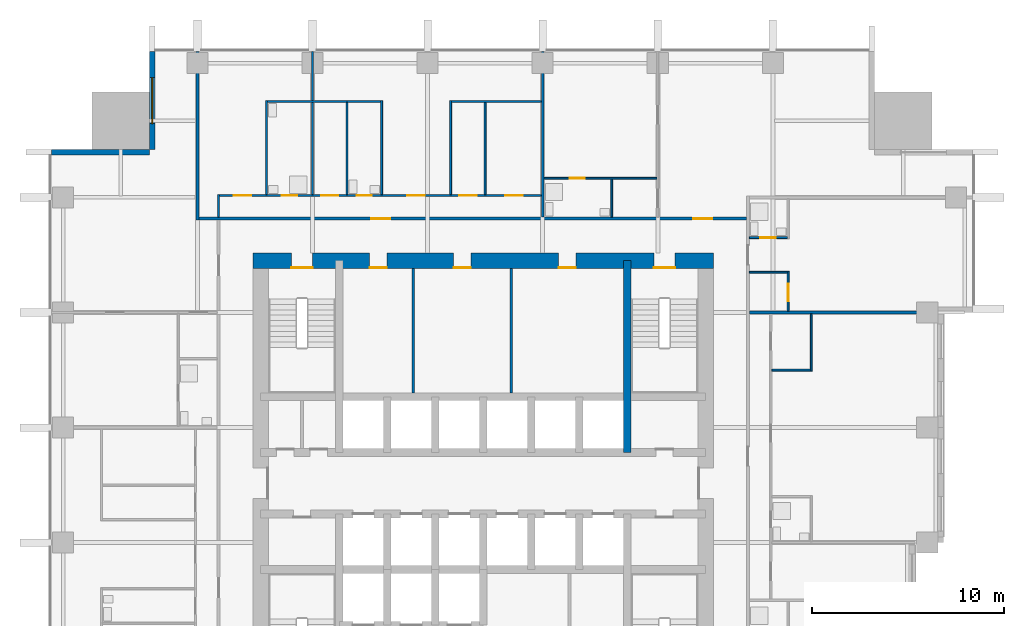
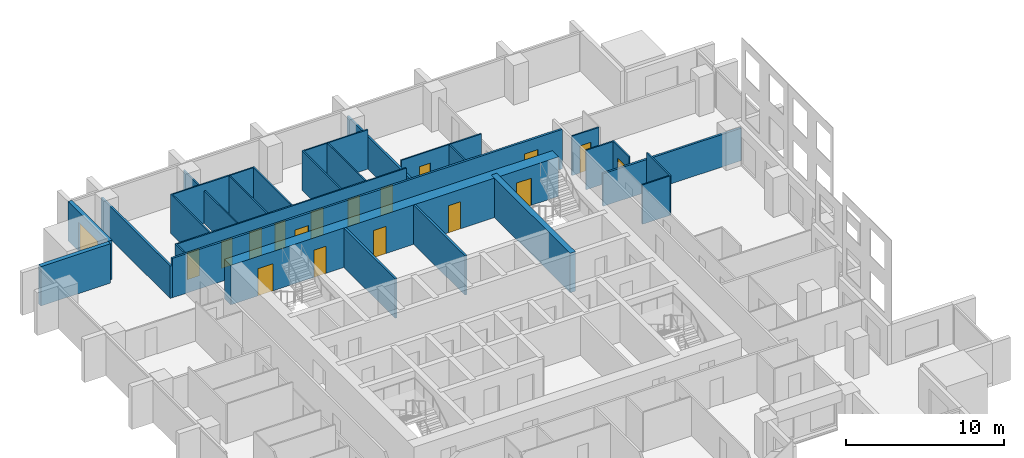
# One storey, part 7 of 11: 27 walls, 17 doors, 1 window, 18 openings.
"""IFC4 building model written with IfcOpenShell, lengths in metres."""

from ifc_helpers import new_model, si_unit, direction, frame, frame_2d, origin, place, context, subcontext, project, spatial, rectangle, extrude, material, layer, layer_set, type_object, element, fill, save


model = new_model("IFC4")

# Units and contexts
model_context = context("Model", 3, precision=1e-05, world=origin(), true_north=direction((0.0, 1.0)))
body_context = subcontext(model_context, "Body", "Model", "MODEL_VIEW")
ifc_project = project(units=[si_unit("LENGTHUNIT", "METRE"), si_unit("AREAUNIT", "SQUARE_METRE"), si_unit("VOLUMEUNIT", "CUBIC_METRE"), si_unit("PLANEANGLEUNIT", "RADIAN"), si_unit("MASSUNIT", "GRAM", prefix="KILO")], contexts=[model_context])

# Site, building, storey
site_placement = place(None, origin())
site = spatial("IfcSite", under=ifc_project, at=site_placement, CompositionType="ELEMENT")
building_placement = place(site_placement, origin())
building = spatial("IfcBuilding", under=site, at=building_placement, Name="Amberfall Residences", CompositionType="ELEMENT")
storey_placement = place(building_placement, frame((0.0, 0.0, 115.0)))
storey = spatial("IfcBuildingStorey", under=building, at=storey_placement, Name="L31", CompositionType="ELEMENT", Elevation=115.0)

# Wall, opening, window
ifc_material_1 = material(Name="Pale stone cladding on insulated backing", Category="masonry")
ifc_layer_1 = layer(ifc_material_1, 0.300048828125)
ifc_layer_set_1 = layer_set([ifc_layer_1], Name="Bronze clad wall 300")
wall_type_1 = type_object("IfcWallType", Name="Bronze clad wall 300", PredefinedType="SOLIDWALL", material=ifc_layer_set_1)
wall_1_placement = place(storey_placement, frame((57.25, 68.0, 0.0), z_axis=(0.0, 0.0, 1.0), x_axis=(0.0, -1.0, 0.0)))
wall_1 = element("IfcWall", 1, at=wall_1_placement, inside=storey, type_object=wall_type_1, Name="External wall L31 NW", PredefinedType="SOLIDWALL", context=body_context, shape_type="SweptSolid", body=[
    extrude(rectangle(XDim=5.10009765625, YDim=0.300048828125, at=frame_2d((2.550048828125, 0.0))), origin(), (0.0, 0.0, 1.0), 3.050048828125),
])
opening_1_placement = place(wall_1_placement, frame((1.35009765625, 0.0, 0.14990234375)))
opening_1 = element("IfcOpeningElement", 2, at=opening_1_placement, cuts=wall_1, Name="Opening WN5", PredefinedType="OPENING", context=body_context, shape_type="SweptSolid", body=[
    extrude(rectangle(XDim=2.39990234375, YDim=2.10009765625, at=frame_2d((1.199951171875, 1.050048828125))), frame((0.0, 0.159912109375, 0.0), z_axis=(0.0, -1.0, 0.0), x_axis=(1.0, 0.0, 0.0)), (0.0, 0.0, 1.0), 0.320068359375),
])
ifc_material_2 = material(Name="Bronze aluminium framed glazing", Category="aluminium")
window_type = type_object("IfcWindowType", Name="Glazed opening 2400 x 2100 bronze", PartitioningType="DOUBLE_PANEL_VERTICAL", PredefinedType="WINDOW", material=ifc_material_2)
window_placement = place(opening_1_placement, origin())
window = element("IfcWindow", 3, at=window_placement, inside=storey, type_object=window_type, Name="Window L31 NW", OverallHeight=2.10009765625, OverallWidth=2.39990234375, PartitioningType="DOUBLE_PANEL_VERTICAL", PredefinedType="WINDOW", context=body_context, shape_type="SweptSolid", body=[
    extrude(rectangle(XDim=2.39990234375, YDim=2.10009765625, at=frame_2d((1.199951171875, 1.050048828125))), frame((0.0, 0.030029296875, 0.0), z_axis=(0.0, -1.0, 0.0), x_axis=(1.0, 0.0, 0.0)), (0.0, 0.0, 1.0), 0.06005859375),
])
fill(opening_1, window)

# Walls
wall_2_placement = place(storey_placement, frame((57.10009765625, 62.75, 0.0), z_axis=(0.0, 0.0, 1.0), x_axis=(-1.0, 0.0, 0.0)))
element("IfcWall", 4, at=wall_2_placement, inside=storey, type_object=wall_type_1, Name="External wall L31 NW", PredefinedType="SOLIDWALL", context=body_context, shape_type="SweptSolid", body=[
    extrude(rectangle(XDim=5.10009765625, YDim=0.300048828125, at=frame_2d((2.550048828125, 0.0))), origin(), (0.0, 0.0, 1.0), 3.050048828125),
])
ifc_material_3 = material(Name="Concrete C70", Category="concrete")
ifc_layer_2 = layer(ifc_material_3, 0.39990234375)
ifc_layer_set_2 = layer_set([ifc_layer_2], Name="Core wall 400 C70")
wall_type_2 = type_object("IfcWallType", Name="Core wall 400 C70", PredefinedType="SHEAR", material=ifc_layer_set_2)
wall_3_placement = place(storey_placement, frame((82.0, 47.10009765625, 0.0), z_axis=(0.0, 0.0, 1.0), x_axis=(0.0, 1.0, 0.0)))
element("IfcWall", 5, at=wall_3_placement, inside=storey, type_object=wall_type_2, Name="Core wall RW4 L31 V195N", PredefinedType="SHEAR", context=body_context, shape_type="SweptSolid", body=[
    extrude(rectangle(XDim=10.0, YDim=0.39990234375, at=frame_2d((5.0, 0.0))), origin(), (0.0, 0.0, 1.0), 3.050048828125),
])

# Wall, openings, doors
ifc_layer_3 = layer(ifc_material_3, 0.800048828125)
ifc_layer_set_3 = layer_set([ifc_layer_3], Name="Core wall 800 C70")
wall_type_3 = type_object("IfcWallType", Name="Core wall 800 C70", PredefinedType="SHEAR", material=ifc_layer_set_3)
wall_4_placement = place(storey_placement, frame((62.5, 57.10009765625, 0.0), z_axis=(0.0, 0.0, 1.0), x_axis=(1.0, 0.0, 0.0)))
wall_4 = element("IfcWall", 6, at=wall_4_placement, inside=storey, type_object=wall_type_3, Name="Core wall RW3 L31 ON", PredefinedType="SHEAR", context=body_context, shape_type="SweptSolid", body=[
    extrude(rectangle(XDim=24.0, YDim=0.800048828125, at=frame_2d((12.0, 0.0))), origin(), (0.0, 0.0, 1.0), 3.050048828125),
])
opening_2_placement = place(wall_4_placement, frame((20.89990234375, 0.0, 0.0)))
opening_2 = element("IfcOpeningElement", 7, at=opening_2_placement, cuts=wall_4, Name="Opening SD1", PredefinedType="OPENING", context=body_context, shape_type="SweptSolid", body=[
    extrude(rectangle(XDim=1.10009765625, YDim=2.10009765625, at=frame_2d((0.550048828125, 1.050048828125))), frame((0.0, 0.409912109375, 0.0), z_axis=(0.0, -1.0, 0.0), x_axis=(1.0, 0.0, 0.0)), (0.0, 0.0, 1.0), 0.820068359375),
])
opening_3_placement = place(wall_4_placement, frame((2.0, 0.0, 0.0)))
opening_3 = element("IfcOpeningElement", 8, at=opening_3_placement, cuts=wall_4, Name="Opening SD1", PredefinedType="OPENING", context=body_context, shape_type="SweptSolid", body=[
    extrude(rectangle(XDim=1.10009765625, YDim=2.10009765625, at=frame_2d((0.550048828125, 1.050048828125))), frame((0.0, 0.409912109375, 0.0), z_axis=(0.0, -1.0, 0.0), x_axis=(1.0, 0.0, 0.0)), (0.0, 0.0, 1.0), 0.820068359375),
])
opening_4_placement = place(wall_4_placement, frame((6.074951171875, 0.0, 0.0)))
opening_4 = element("IfcOpeningElement", 9, at=opening_4_placement, cuts=wall_4, Name="Opening RD1", PredefinedType="OPENING", context=body_context, shape_type="SweptSolid", body=[
    extrude(rectangle(XDim=0.89990234375, YDim=2.10009765625, at=frame_2d((0.449951171875, 1.050048828125))), frame((0.0, 0.409912109375, 0.0), z_axis=(0.0, -1.0, 0.0), x_axis=(1.0, 0.0, 0.0)), (0.0, 0.0, 1.0), 0.820068359375),
])
opening_5_placement = place(wall_4_placement, frame((10.455078125, 0.0, 0.0)))
opening_5 = element("IfcOpeningElement", 10, at=opening_5_placement, cuts=wall_4, Name="Opening RD1", PredefinedType="OPENING", context=body_context, shape_type="SweptSolid", body=[
    extrude(rectangle(XDim=0.89990234375, YDim=2.10009765625, at=frame_2d((0.449951171875, 1.050048828125))), frame((0.0, 0.409912109375, 0.0), z_axis=(0.0, -1.0, 0.0), x_axis=(1.0, 0.0, 0.0)), (0.0, 0.0, 1.0), 0.820068359375),
])
opening_6_placement = place(wall_4_placement, frame((15.929931640625, 0.0, 0.0)))
opening_6 = element("IfcOpeningElement", 11, at=opening_6_placement, cuts=wall_4, Name="Opening RD1", PredefinedType="OPENING", context=body_context, shape_type="SweptSolid", body=[
    extrude(rectangle(XDim=0.89990234375, YDim=2.10009765625, at=frame_2d((0.449951171875, 1.050048828125))), frame((0.0, 0.409912109375, 0.0), z_axis=(0.0, -1.0, 0.0), x_axis=(1.0, 0.0, 0.0)), (0.0, 0.0, 1.0), 0.820068359375),
])
ifc_material_4 = material(Name="Steel fire door set", Category="steel")
door_type_1 = type_object("IfcDoorType", Name="Service room door 900 x 2100", OperationType="SINGLE_SWING_LEFT", PredefinedType="DOOR", material=ifc_material_4)
door_1_placement = place(opening_4_placement, origin())
door_1 = element("IfcDoor", 12, at=door_1_placement, inside=storey, type_object=door_type_1, Name="RD1 L31", OperationType="SINGLE_SWING_RIGHT", OverallHeight=2.10009765625, OverallWidth=0.89990234375, PredefinedType="DOOR", context=body_context, shape_type="SweptSolid", body=[
    extrude(rectangle(XDim=0.89990234375, YDim=2.10009765625, at=frame_2d((0.449951171875, 1.050048828125))), frame((0.0, -0.33740234375, 0.0), z_axis=(0.0, -1.0, 0.0), x_axis=(1.0, 0.0, 0.0)), (0.0, 0.0, 1.0), 0.050048828125),
])
fill(opening_4, door_1)
door_2_placement = place(opening_5_placement, origin())
door_2 = element("IfcDoor", 13, at=door_2_placement, inside=storey, type_object=door_type_1, Name="RD1 L31", OperationType="SINGLE_SWING_RIGHT", OverallHeight=2.10009765625, OverallWidth=0.89990234375, PredefinedType="DOOR", context=body_context, shape_type="SweptSolid", body=[
    extrude(rectangle(XDim=0.89990234375, YDim=2.10009765625, at=frame_2d((0.449951171875, 1.050048828125))), frame((0.0, -0.33740234375, 0.0), z_axis=(0.0, -1.0, 0.0), x_axis=(1.0, 0.0, 0.0)), (0.0, 0.0, 1.0), 0.050048828125),
])
fill(opening_5, door_2)
door_3_placement = place(opening_6_placement, origin())
door_3 = element("IfcDoor", 14, at=door_3_placement, inside=storey, type_object=door_type_1, Name="RD1 L31", OperationType="SINGLE_SWING_RIGHT", OverallHeight=2.10009765625, OverallWidth=0.89990234375, PredefinedType="DOOR", context=body_context, shape_type="SweptSolid", body=[
    extrude(rectangle(XDim=0.89990234375, YDim=2.10009765625, at=frame_2d((0.449951171875, 1.050048828125))), frame((0.0, -0.33740234375, 0.0), z_axis=(0.0, -1.0, 0.0), x_axis=(1.0, 0.0, 0.0)), (0.0, 0.0, 1.0), 0.050048828125),
])
fill(opening_6, door_3)
door_type_2 = type_object("IfcDoorType", Name="Stair door 1100 x 2100", OperationType="SINGLE_SWING_LEFT", PredefinedType="DOOR", material=ifc_material_4)
door_4_placement = place(opening_2_placement, origin())
door_4 = element("IfcDoor", 15, at=door_4_placement, inside=storey, type_object=door_type_2, Name="SD1 L31", OperationType="SINGLE_SWING_RIGHT", OverallHeight=2.10009765625, OverallWidth=1.10009765625, PredefinedType="DOOR", context=body_context, shape_type="SweptSolid", body=[
    extrude(rectangle(XDim=1.10009765625, YDim=2.10009765625, at=frame_2d((0.550048828125, 1.050048828125))), frame((0.0, -0.33740234375, 0.0), z_axis=(0.0, -1.0, 0.0), x_axis=(1.0, 0.0, 0.0)), (0.0, 0.0, 1.0), 0.050048828125),
])
fill(opening_2, door_4)
door_5_placement = place(opening_3_placement, origin())
door_5 = element("IfcDoor", 16, at=door_5_placement, inside=storey, type_object=door_type_2, Name="SD1 L31", OperationType="SINGLE_SWING_LEFT", OverallHeight=2.10009765625, OverallWidth=1.10009765625, PredefinedType="DOOR", context=body_context, shape_type="SweptSolid", body=[
    extrude(rectangle(XDim=1.10009765625, YDim=2.10009765625, at=frame_2d((0.550048828125, 1.050048828125))), frame((0.0, -0.33740234375, 0.0), z_axis=(0.0, -1.0, 0.0), x_axis=(1.0, 0.0, 0.0)), (0.0, 0.0, 1.0), 0.050048828125),
])
fill(opening_3, door_5)

# Walls
ifc_material_5 = material(Name="Gypsum board on metal stud")
ifc_layer_4 = layer(ifc_material_5, 0.10009765625)
ifc_layer_set_4 = layer_set([ifc_layer_4], Name="Flat partition 100")
wall_type_4 = type_object("IfcWallType", Name="Flat partition 100", PredefinedType="PARTITIONING", material=ifc_layer_set_4)
wall_5_placement = place(storey_placement, frame((60.699951171875, 59.375, 0.0), z_axis=(0.0, 0.0, 1.0), x_axis=(0.0, 1.0, 0.0)))
element("IfcWall", 17, at=wall_5_placement, inside=storey, type_object=wall_type_4, Name="Partition 005", PredefinedType="PARTITIONING", context=body_context, shape_type="SweptSolid", body=[
    extrude(rectangle(XDim=1.175048828125, YDim=0.10009765625, at=frame_2d((0.58740234375, 0.0))), origin(), (0.0, 0.0, 1.0), 3.050048828125),
])
wall_6_placement = place(storey_placement, frame((63.199951171875, 60.550048828125, 0.0), z_axis=(0.0, 0.0, 1.0), x_axis=(0.0, 1.0, 0.0)))
element("IfcWall", 18, at=wall_6_placement, inside=storey, type_object=wall_type_4, Name="Partition 006", PredefinedType="PARTITIONING", context=body_context, shape_type="SweptSolid", body=[
    extrude(rectangle(XDim=4.89990234375, YDim=0.10009765625, at=frame_2d((2.449951171875, 0.0))), origin(), (0.0, 0.0, 1.0), 3.050048828125),
])
wall_7_placement = place(storey_placement, frame((65.60009765625, 60.550048828125, 0.0), z_axis=(0.0, 0.0, 1.0), x_axis=(0.0, 1.0, 0.0)))
element("IfcWall", 19, at=wall_7_placement, inside=storey, type_object=wall_type_4, Name="Partition 007", PredefinedType="PARTITIONING", context=body_context, shape_type="SweptSolid", body=[
    extrude(rectangle(XDim=7.449951171875, YDim=0.10009765625, at=frame_2d((3.72509765625, 0.0))), origin(), (0.0, 0.0, 1.0), 2.51611328125),
])
wall_8_placement = place(storey_placement, frame((67.39990234375, 60.550048828125, 0.0), z_axis=(0.0, 0.0, 1.0), x_axis=(0.0, 1.0, 0.0)))
element("IfcWall", 20, at=wall_8_placement, inside=storey, type_object=wall_type_4, Name="Partition 008", PredefinedType="PARTITIONING", context=body_context, shape_type="SweptSolid", body=[
    extrude(rectangle(XDim=4.800048828125, YDim=0.10009765625, at=frame_2d((2.39990234375, 0.0))), origin(), (0.0, 0.0, 1.0), 3.050048828125),
])
for number, where, z_axis, x_axis, name in (
    (21, (69.199951171875, 60.550048828125, 0.0), (0.0, 0.0, 1.0), (0.0, 1.0, 0.0), "Partition 010"),
    (22, (72.800048828125, 60.550048828125, 0.0), (0.0, 0.0, 1.0), (0.0, 1.0, 0.0), "Partition 012"),
):
    element("IfcWall", number, at=place(storey_placement, frame(where, z_axis=z_axis, x_axis=x_axis)), inside=storey, type_object=wall_type_4, Name=name, PredefinedType="PARTITIONING", context=body_context, shape_type="SweptSolid", body=[
        extrude(rectangle(XDim=4.89990234375, YDim=0.10009765625, at=frame_2d((2.449951171875, 0.0))), origin(), (0.0, 0.0, 1.0), 3.050048828125),
    ])
wall_9_placement = place(storey_placement, frame((74.60009765625, 60.550048828125, 0.0), z_axis=(0.0, 0.0, 1.0), x_axis=(0.0, 1.0, 0.0)))
element("IfcWall", 23, at=wall_9_placement, inside=storey, type_object=wall_type_4, Name="Partition 013", PredefinedType="PARTITIONING", context=body_context, shape_type="SweptSolid", body=[
    extrude(rectangle(XDim=4.800048828125, YDim=0.10009765625, at=frame_2d((2.39990234375, 0.0))), origin(), (0.0, 0.0, 1.0), 3.050048828125),
])
wall_10_placement = place(storey_placement, frame((81.199951171875, 59.375, 0.0), z_axis=(0.0, 0.0, 1.0), x_axis=(0.0, 1.0, 0.0)))
element("IfcWall", 24, at=wall_10_placement, inside=storey, type_object=wall_type_4, Name="Partition 016", PredefinedType="PARTITIONING", context=body_context, shape_type="SweptSolid", body=[
    extrude(rectangle(XDim=1.97509765625, YDim=0.10009765625, at=frame_2d((0.987548828125, 0.0))), origin(), (0.0, 0.0, 1.0), 3.050048828125),
])

# Wall, opening, door
wall_11_placement = place(storey_placement, frame((90.39990234375, 54.47509765625, 0.0), z_axis=(0.0, 0.0, 1.0), x_axis=(0.0, 1.0, 0.0)))
wall_11 = element("IfcWall", 25, at=wall_11_placement, inside=storey, type_object=wall_type_4, Name="Partition 021", PredefinedType="PARTITIONING", context=body_context, shape_type="SweptSolid", body=[
    extrude(rectangle(XDim=2.074951171875, YDim=0.10009765625, at=frame_2d((1.03759765625, 0.0))), origin(), (0.0, 0.0, 1.0), 3.050048828125),
])
opening_7_placement = place(wall_11_placement, frame((0.52490234375, 0.0, 0.0)))
opening_7 = element("IfcOpeningElement", 26, at=opening_7_placement, cuts=wall_11, Name="Opening D41", PredefinedType="OPENING", context=body_context, shape_type="SweptSolid", body=[
    extrude(rectangle(XDim=0.89990234375, YDim=2.10009765625, at=frame_2d((0.449951171875, 1.050048828125))), frame((0.0, 0.06005859375, 0.0), z_axis=(0.0, -1.0, 0.0), x_axis=(1.0, 0.0, 0.0)), (0.0, 0.0, 1.0), 0.1201171875),
])
ifc_material_6 = material(Name="Timber", Category="wood")
door_type_3 = type_object("IfcDoorType", Name="Internal door 900 x 2100", OperationType="SINGLE_SWING_LEFT", PredefinedType="DOOR", material=ifc_material_6)
door_6_placement = place(opening_7_placement, origin())
door_6 = element("IfcDoor", 27, at=door_6_placement, inside=storey, type_object=door_type_3, Name="Door 3105 kitchen", OperationType="SINGLE_SWING_LEFT", OverallHeight=2.10009765625, OverallWidth=0.89990234375, PredefinedType="DOOR", context=body_context, shape_type="SweptSolid", body=[
    extrude(rectangle(XDim=0.89990234375, YDim=2.10009765625, at=frame_2d((0.449951171875, 1.050048828125))), frame((0.0, 0.02490234375, 0.0), z_axis=(0.0, -1.0, 0.0), x_axis=(1.0, 0.0, 0.0)), (0.0, 0.0, 1.0), 0.050048828125),
])
fill(opening_7, door_6)

# Walls
wall_12_placement = place(storey_placement, frame((91.60009765625, 51.35009765625, 0.0), z_axis=(0.0, 0.0, 1.0), x_axis=(0.0, 1.0, 0.0)))
element("IfcWall", 28, at=wall_12_placement, inside=storey, type_object=wall_type_4, Name="Partition 024", PredefinedType="PARTITIONING", context=body_context, shape_type="SweptSolid", body=[
    extrude(rectangle(XDim=2.974853515625, YDim=0.10009765625, at=frame_2d((1.4873046875, 0.0))), origin(), (0.0, 0.0, 1.0), 3.050048828125),
])
wall_13_placement = place(storey_placement, frame((63.25, 65.39990234375, 0.0), z_axis=(0.0, 0.0, 1.0), x_axis=(1.0, 0.0, 0.0)))
element("IfcWall", 29, at=wall_13_placement, inside=storey, type_object=wall_type_4, Name="Partition 025", PredefinedType="PARTITIONING", context=body_context, shape_type="SweptSolid", body=[
    extrude(rectangle(XDim=5.89990234375, YDim=0.10009765625, at=frame_2d((2.949951171875, 0.0))), origin(), (0.0, 0.0, 1.0), 3.050048828125),
])
wall_14_placement = place(storey_placement, frame((72.85009765625, 65.39990234375, 0.0), z_axis=(0.0, 0.0, 1.0), x_axis=(1.0, 0.0, 0.0)))
element("IfcWall", 30, at=wall_14_placement, inside=storey, type_object=wall_type_4, Name="Partition 026", PredefinedType="PARTITIONING", context=body_context, shape_type="SweptSolid", body=[
    extrude(rectangle(XDim=4.6748046875, YDim=0.10009765625, at=frame_2d((2.33740234375, 0.0))), origin(), (0.0, 0.0, 1.0), 3.050048828125),
])

# Wall, opening, door
wall_15_placement = place(storey_placement, frame((83.550048828125, 61.39990234375, 0.0), z_axis=(0.0, 0.0, 1.0), x_axis=(-1.0, 0.0, 0.0)))
wall_15 = element("IfcWall", 31, at=wall_15_placement, inside=storey, type_object=wall_type_4, Name="Partition 027", PredefinedType="PARTITIONING", context=body_context, shape_type="SweptSolid", body=[
    extrude(rectangle(XDim=5.875, YDim=0.10009765625, at=frame_2d((2.9375, 0.0))), origin(), (0.0, 0.0, 1.0), 3.050048828125),
])
opening_8_placement = place(wall_15_placement, frame((3.75, 0.0, 0.0)))
opening_8 = element("IfcOpeningElement", 32, at=opening_8_placement, cuts=wall_15, Name="Opening D42", PredefinedType="OPENING", context=body_context, shape_type="SweptSolid", body=[
    extrude(rectangle(XDim=0.800048828125, YDim=2.10009765625, at=frame_2d((0.39990234375, 1.050048828125))), frame((0.0, 0.06005859375, 0.0), z_axis=(0.0, -1.0, 0.0), x_axis=(1.0, 0.0, 0.0)), (0.0, 0.0, 1.0), 0.1201171875),
])
door_type_4 = type_object("IfcDoorType", Name="Bathroom door 800 x 2100", OperationType="SINGLE_SWING_LEFT", PredefinedType="DOOR", material=ifc_material_6)
door_7_placement = place(opening_8_placement, origin())
door_7 = element("IfcDoor", 33, at=door_7_placement, inside=storey, type_object=door_type_4, Name="Door 3107 bath1", OperationType="SINGLE_SWING_LEFT", OverallHeight=2.10009765625, OverallWidth=0.800048828125, PredefinedType="DOOR", context=body_context, shape_type="SweptSolid", body=[
    extrude(rectangle(XDim=0.800048828125, YDim=2.10009765625, at=frame_2d((0.39990234375, 1.050048828125))), frame((0.0, 0.02490234375, 0.0), z_axis=(0.0, -1.0, 0.0), x_axis=(1.0, 0.0, 0.0)), (0.0, 0.0, 1.0), 0.050048828125),
])
fill(opening_8, door_7)

# Wall, openings, doors
wall_16_placement = place(storey_placement, frame((60.75, 60.5, 0.0), z_axis=(0.0, 0.0, 1.0), x_axis=(1.0, 0.0, 0.0)))
wall_16 = element("IfcWall", 34, at=wall_16_placement, inside=storey, type_object=wall_type_4, Name="Partition 028", PredefinedType="PARTITIONING", context=body_context, shape_type="SweptSolid", body=[
    extrude(rectangle(XDim=16.77490234375, YDim=0.10009765625, at=frame_2d((8.387451171875, 0.0))), origin(), (0.0, 0.0, 1.0), 3.050048828125),
])
opening_9_placement = place(wall_16_placement, frame((9.800048828125, 0.0, 0.0)))
opening_9 = element("IfcOpeningElement", 35, at=opening_9_placement, cuts=wall_16, Name="Opening D41", PredefinedType="OPENING", context=body_context, shape_type="SweptSolid", body=[
    extrude(rectangle(XDim=0.89990234375, YDim=2.10009765625, at=frame_2d((0.449951171875, 1.050048828125))), frame((0.0, 0.06005859375, 0.0), z_axis=(0.0, -1.0, 0.0), x_axis=(1.0, 0.0, 0.0)), (0.0, 0.0, 1.0), 0.1201171875),
])
opening_10_placement = place(wall_16_placement, frame((14.89990234375, 0.0, 0.0)))
opening_10 = element("IfcOpeningElement", 36, at=opening_10_placement, cuts=wall_16, Name="Opening D41", PredefinedType="OPENING", context=body_context, shape_type="SweptSolid", body=[
    extrude(rectangle(XDim=0.89990234375, YDim=2.10009765625, at=frame_2d((0.449951171875, 1.050048828125))), frame((0.0, 0.06005859375, 0.0), z_axis=(0.0, -1.0, 0.0), x_axis=(1.0, 0.0, 0.0)), (0.0, 0.0, 1.0), 0.1201171875),
])
opening_11_placement = place(wall_16_placement, frame((12.5, 0.0, 0.0)))
opening_11 = element("IfcOpeningElement", 37, at=opening_11_placement, cuts=wall_16, Name="Opening D41", PredefinedType="OPENING", context=body_context, shape_type="SweptSolid", body=[
    extrude(rectangle(XDim=0.89990234375, YDim=2.10009765625, at=frame_2d((0.449951171875, 1.050048828125))), frame((0.0, 0.06005859375, 0.0), z_axis=(0.0, -1.0, 0.0), x_axis=(1.0, 0.0, 0.0)), (0.0, 0.0, 1.0), 0.1201171875),
])
opening_12_placement = place(wall_16_placement, frame((5.300048828125, 0.0, 0.0)))
opening_12 = element("IfcOpeningElement", 38, at=opening_12_placement, cuts=wall_16, Name="Opening D41", PredefinedType="OPENING", context=body_context, shape_type="SweptSolid", body=[
    extrude(rectangle(XDim=0.89990234375, YDim=2.10009765625, at=frame_2d((0.449951171875, 1.050048828125))), frame((0.0, 0.06005859375, 0.0), z_axis=(0.0, -1.0, 0.0), x_axis=(1.0, 0.0, 0.0)), (0.0, 0.0, 1.0), 0.1201171875),
])
opening_13_placement = place(wall_16_placement, frame((7.14990234375, 0.0, 0.0)))
opening_13 = element("IfcOpeningElement", 39, at=opening_13_placement, cuts=wall_16, Name="Opening D42", PredefinedType="OPENING", context=body_context, shape_type="SweptSolid", body=[
    extrude(rectangle(XDim=0.800048828125, YDim=2.10009765625, at=frame_2d((0.39990234375, 1.050048828125))), frame((0.0, 0.06005859375, 0.0), z_axis=(0.0, -1.0, 0.0), x_axis=(1.0, 0.0, 0.0)), (0.0, 0.0, 1.0), 0.1201171875),
])
opening_14_placement = place(wall_16_placement, frame((0.75, 0.0, 0.0)))
opening_14 = element("IfcOpeningElement", 40, at=opening_14_placement, cuts=wall_16, Name="Opening D41", PredefinedType="OPENING", context=body_context, shape_type="SweptSolid", body=[
    extrude(rectangle(XDim=0.89990234375, YDim=2.10009765625, at=frame_2d((0.449951171875, 1.050048828125))), frame((0.0, 0.06005859375, 0.0), z_axis=(0.0, -1.0, 0.0), x_axis=(1.0, 0.0, 0.0)), (0.0, 0.0, 1.0), 0.1201171875),
])
opening_15_placement = place(wall_16_placement, frame((3.25, 0.0, 0.0)))
opening_15 = element("IfcOpeningElement", 41, at=opening_15_placement, cuts=wall_16, Name="Opening D42", PredefinedType="OPENING", context=body_context, shape_type="SweptSolid", body=[
    extrude(rectangle(XDim=0.800048828125, YDim=2.10009765625, at=frame_2d((0.39990234375, 1.050048828125))), frame((0.0, 0.06005859375, 0.0), z_axis=(0.0, -1.0, 0.0), x_axis=(1.0, 0.0, 0.0)), (0.0, 0.0, 1.0), 0.1201171875),
])
door_8_placement = place(opening_13_placement, origin())
door_8 = element("IfcDoor", 42, at=door_8_placement, inside=storey, type_object=door_type_4, Name="Door 3106 wc1", OperationType="SINGLE_SWING_LEFT", OverallHeight=2.10009765625, OverallWidth=0.800048828125, PredefinedType="DOOR", context=body_context, shape_type="SweptSolid", body=[
    extrude(rectangle(XDim=0.800048828125, YDim=2.10009765625, at=frame_2d((0.39990234375, 1.050048828125))), frame((0.0, 0.02490234375, 0.0), z_axis=(0.0, -1.0, 0.0), x_axis=(1.0, 0.0, 0.0)), (0.0, 0.0, 1.0), 0.050048828125),
])
fill(opening_13, door_8)
door_9_placement = place(opening_15_placement, origin())
door_9 = element("IfcDoor", 43, at=door_9_placement, inside=storey, type_object=door_type_4, Name="Door 3106 bath1", OperationType="SINGLE_SWING_LEFT", OverallHeight=2.10009765625, OverallWidth=0.800048828125, PredefinedType="DOOR", context=body_context, shape_type="SweptSolid", body=[
    extrude(rectangle(XDim=0.800048828125, YDim=2.10009765625, at=frame_2d((0.39990234375, 1.050048828125))), frame((0.0, 0.02490234375, 0.0), z_axis=(0.0, -1.0, 0.0), x_axis=(1.0, 0.0, 0.0)), (0.0, 0.0, 1.0), 0.050048828125),
])
fill(opening_15, door_9)
door_10_placement = place(opening_9_placement, origin())
door_10 = element("IfcDoor", 44, at=door_10_placement, inside=storey, type_object=door_type_3, Name="Door 3106 living", OperationType="SINGLE_SWING_LEFT", OverallHeight=2.10009765625, OverallWidth=0.89990234375, PredefinedType="DOOR", context=body_context, shape_type="SweptSolid", body=[
    extrude(rectangle(XDim=0.89990234375, YDim=2.10009765625, at=frame_2d((0.449951171875, 1.050048828125))), frame((0.0, 0.02490234375, 0.0), z_axis=(0.0, -1.0, 0.0), x_axis=(1.0, 0.0, 0.0)), (0.0, 0.0, 1.0), 0.050048828125),
])
fill(opening_9, door_10)
door_11_placement = place(opening_10_placement, origin())
door_11 = element("IfcDoor", 45, at=door_11_placement, inside=storey, type_object=door_type_3, Name="Door 3106 kitchen", OperationType="SINGLE_SWING_LEFT", OverallHeight=2.10009765625, OverallWidth=0.89990234375, PredefinedType="DOOR", context=body_context, shape_type="SweptSolid", body=[
    extrude(rectangle(XDim=0.89990234375, YDim=2.10009765625, at=frame_2d((0.449951171875, 1.050048828125))), frame((0.0, 0.02490234375, 0.0), z_axis=(0.0, -1.0, 0.0), x_axis=(1.0, 0.0, 0.0)), (0.0, 0.0, 1.0), 0.050048828125),
])
fill(opening_10, door_11)
door_12_placement = place(opening_11_placement, origin())
door_12 = element("IfcDoor", 46, at=door_12_placement, inside=storey, type_object=door_type_3, Name="Door 3106 utility", OperationType="SINGLE_SWING_LEFT", OverallHeight=2.10009765625, OverallWidth=0.89990234375, PredefinedType="DOOR", context=body_context, shape_type="SweptSolid", body=[
    extrude(rectangle(XDim=0.89990234375, YDim=2.10009765625, at=frame_2d((0.449951171875, 1.050048828125))), frame((0.0, 0.02490234375, 0.0), z_axis=(0.0, -1.0, 0.0), x_axis=(1.0, 0.0, 0.0)), (0.0, 0.0, 1.0), 0.050048828125),
])
fill(opening_11, door_12)
door_13_placement = place(opening_12_placement, origin())
door_13 = element("IfcDoor", 47, at=door_13_placement, inside=storey, type_object=door_type_3, Name="Door 3106 store", OperationType="SINGLE_SWING_LEFT", OverallHeight=2.10009765625, OverallWidth=0.89990234375, PredefinedType="DOOR", context=body_context, shape_type="SweptSolid", body=[
    extrude(rectangle(XDim=0.89990234375, YDim=2.10009765625, at=frame_2d((0.449951171875, 1.050048828125))), frame((0.0, 0.02490234375, 0.0), z_axis=(0.0, -1.0, 0.0), x_axis=(1.0, 0.0, 0.0)), (0.0, 0.0, 1.0), 0.050048828125),
])
fill(opening_12, door_13)
door_14_placement = place(opening_14_placement, origin())
door_14 = element("IfcDoor", 48, at=door_14_placement, inside=storey, type_object=door_type_3, Name="Door 3106 bedroom1", OperationType="SINGLE_SWING_LEFT", OverallHeight=2.10009765625, OverallWidth=0.89990234375, PredefinedType="DOOR", context=body_context, shape_type="SweptSolid", body=[
    extrude(rectangle(XDim=0.89990234375, YDim=2.10009765625, at=frame_2d((0.449951171875, 1.050048828125))), frame((0.0, 0.02490234375, 0.0), z_axis=(0.0, -1.0, 0.0), x_axis=(1.0, 0.0, 0.0)), (0.0, 0.0, 1.0), 0.050048828125),
])
fill(opening_14, door_14)

# Wall, opening, door
wall_17_placement = place(storey_placement, frame((88.375, 58.300048828125, 0.0), z_axis=(0.0, 0.0, 1.0), x_axis=(1.0, 0.0, 0.0)))
wall_17 = element("IfcWall", 49, at=wall_17_placement, inside=storey, type_object=wall_type_4, Name="Partition 029", PredefinedType="PARTITIONING", context=body_context, shape_type="SweptSolid", body=[
    extrude(rectangle(XDim=1.97509765625, YDim=0.10009765625, at=frame_2d((0.987548828125, 0.0))), origin(), (0.0, 0.0, 1.0), 3.050048828125),
])
opening_16_placement = place(wall_17_placement, frame((0.574951171875, 0.0, 0.0)))
opening_16 = element("IfcOpeningElement", 50, at=opening_16_placement, cuts=wall_17, Name="Opening D42", PredefinedType="OPENING", context=body_context, shape_type="SweptSolid", body=[
    extrude(rectangle(XDim=0.800048828125, YDim=2.10009765625, at=frame_2d((0.39990234375, 1.050048828125))), frame((0.0, 0.06005859375, 0.0), z_axis=(0.0, -1.0, 0.0), x_axis=(1.0, 0.0, 0.0)), (0.0, 0.0, 1.0), 0.1201171875),
])
door_15_placement = place(opening_16_placement, origin())
door_15 = element("IfcDoor", 51, at=door_15_placement, inside=storey, type_object=door_type_4, Name="Door 3105 bath1", OperationType="SINGLE_SWING_LEFT", OverallHeight=2.10009765625, OverallWidth=0.800048828125, PredefinedType="DOOR", context=body_context, shape_type="SweptSolid", body=[
    extrude(rectangle(XDim=0.800048828125, YDim=2.10009765625, at=frame_2d((0.39990234375, 1.050048828125))), frame((0.0, 0.02490234375, 0.0), z_axis=(0.0, -1.0, 0.0), x_axis=(1.0, 0.0, 0.0)), (0.0, 0.0, 1.0), 0.050048828125),
])
fill(opening_16, door_15)

# Walls
wall_18_placement = place(storey_placement, frame((88.375, 56.5, 0.0), z_axis=(0.0, 0.0, 1.0), x_axis=(1.0, 0.0, 0.0)))
element("IfcWall", 52, at=wall_18_placement, inside=storey, type_object=wall_type_4, Name="Partition 030", PredefinedType="PARTITIONING", context=body_context, shape_type="SweptSolid", body=[
    extrude(rectangle(XDim=1.97509765625, YDim=0.10009765625, at=frame_2d((0.987548828125, 0.0))), origin(), (0.0, 0.0, 1.0), 3.050048828125),
])
wall_19_placement = place(storey_placement, frame((89.550048828125, 51.39990234375, 0.0), z_axis=(0.0, 0.0, 1.0), x_axis=(1.0, 0.0, 0.0)))
element("IfcWall", 53, at=wall_19_placement, inside=storey, type_object=wall_type_4, Name="Partition 033", PredefinedType="PARTITIONING", context=body_context, shape_type="SweptSolid", body=[
    extrude(rectangle(XDim=2.0, YDim=0.10009765625, at=frame_2d((1.0, 0.0))), origin(), (0.0, 0.0, 1.0), 3.050048828125),
])
ifc_material_7 = material(Name="Blockwork, plastered", Category="masonry")
ifc_layer_5 = layer(ifc_material_7, 0.14990234375)
ifc_layer_set_5 = layer_set([ifc_layer_5], Name="Flat separating wall 150")
wall_type_5 = type_object("IfcWallType", Name="Flat separating wall 150", PredefinedType="PARTITIONING", material=ifc_layer_set_5)
wall_20_placement = place(storey_placement, frame((59.60009765625, 59.22509765625, 0.0), z_axis=(0.0, 0.0, 1.0), x_axis=(0.0, 1.0, 0.0)))
element("IfcWall", 54, at=wall_20_placement, inside=storey, type_object=wall_type_5, Name="Separating wall 048", PredefinedType="PARTITIONING", context=body_context, shape_type="SweptSolid", body=[
    extrude(rectangle(XDim=8.77490234375, YDim=0.14990234375, at=frame_2d((4.387451171875, 0.0))), origin(), (0.0, 0.0, 1.0), 2.510009765625),
])
wall_21_placement = place(storey_placement, frame((77.60009765625, 59.375, 0.0), z_axis=(0.0, 0.0, 1.0), x_axis=(0.0, 1.0, 0.0)))
element("IfcWall", 55, at=wall_21_placement, inside=storey, type_object=wall_type_5, Name="Separating wall 051", PredefinedType="PARTITIONING", context=body_context, shape_type="SweptSolid", body=[
    extrude(rectangle(XDim=8.625, YDim=0.14990234375, at=frame_2d((4.3125, 0.0))), origin(), (0.0, 0.0, 1.0), 2.51611328125),
])

# Wall, openings, doors
wall_22_placement = place(storey_placement, frame((59.675048828125, 59.300048828125, 0.0), z_axis=(0.0, 0.0, 1.0), x_axis=(1.0, 0.0, 0.0)))
wall_22 = element("IfcWall", 56, at=wall_22_placement, inside=storey, type_object=wall_type_5, Name="Separating wall 055", PredefinedType="PARTITIONING", context=body_context, shape_type="SweptSolid", body=[
    extrude(rectangle(XDim=28.550048828125, YDim=0.14990234375, at=frame_2d((14.27490234375, 0.0))), origin(), (0.0, 0.0, 1.0), 3.050048828125),
])
opening_17_placement = place(wall_22_placement, frame((8.97509765625, 0.0, 0.0)))
opening_17 = element("IfcOpeningElement", 57, at=opening_17_placement, cuts=wall_22, Name="Opening D40", PredefinedType="OPENING", context=body_context, shape_type="SweptSolid", body=[
    extrude(rectangle(XDim=1.0, YDim=2.10009765625, at=frame_2d((0.5, 1.050048828125))), frame((0.0, 0.0849609375, 0.0), z_axis=(0.0, -1.0, 0.0), x_axis=(1.0, 0.0, 0.0)), (0.0, 0.0, 1.0), 0.169921875),
])
opening_18_placement = place(wall_22_placement, frame((25.77490234375, 0.0, 0.0)))
opening_18 = element("IfcOpeningElement", 58, at=opening_18_placement, cuts=wall_22, Name="Opening D40", PredefinedType="OPENING", context=body_context, shape_type="SweptSolid", body=[
    extrude(rectangle(XDim=1.0, YDim=2.10009765625, at=frame_2d((0.5, 1.050048828125))), frame((0.0, 0.0849609375, 0.0), z_axis=(0.0, -1.0, 0.0), x_axis=(1.0, 0.0, 0.0)), (0.0, 0.0, 1.0), 0.169921875),
])
ifc_material_8 = material(Name="Timber, fire-rated", Category="wood")
door_type_5 = type_object("IfcDoorType", Name="Flat entrance door FD60 1000 x 2100", OperationType="SINGLE_SWING_LEFT", PredefinedType="DOOR", material=ifc_material_8)
door_16_placement = place(opening_17_placement, origin())
door_16 = element("IfcDoor", 59, at=door_16_placement, inside=storey, type_object=door_type_5, Name="Door 3106 entrance", OperationType="SINGLE_SWING_LEFT", OverallHeight=2.10009765625, OverallWidth=1.0, PredefinedType="DOOR", context=body_context, shape_type="SweptSolid", body=[
    extrude(rectangle(XDim=1.0, YDim=2.10009765625, at=frame_2d((0.5, 1.050048828125))), frame((0.0, 0.02490234375, 0.0), z_axis=(0.0, -1.0, 0.0), x_axis=(1.0, 0.0, 0.0)), (0.0, 0.0, 1.0), 0.050048828125),
])
fill(opening_17, door_16)
door_17_placement = place(opening_18_placement, origin())
door_17 = element("IfcDoor", 60, at=door_17_placement, inside=storey, type_object=door_type_5, Name="Door 3107 entrance", OperationType="SINGLE_SWING_LEFT", OverallHeight=2.10009765625, OverallWidth=1.0, PredefinedType="DOOR", context=body_context, shape_type="SweptSolid", body=[
    extrude(rectangle(XDim=1.0, YDim=2.10009765625, at=frame_2d((0.5, 1.050048828125))), frame((0.0, 0.02490234375, 0.0), z_axis=(0.0, -1.0, 0.0), x_axis=(1.0, 0.0, 0.0)), (0.0, 0.0, 1.0), 0.050048828125),
])
fill(opening_18, door_17)

# Walls
wall_23_placement = place(storey_placement, frame((88.375, 54.39990234375, 0.0), z_axis=(0.0, 0.0, 1.0), x_axis=(1.0, 0.0, 0.0)))
element("IfcWall", 61, at=wall_23_placement, inside=storey, type_object=wall_type_5, Name="Separating wall 056", PredefinedType="PARTITIONING", context=body_context, shape_type="SweptSolid", body=[
    extrude(rectangle(XDim=10.125, YDim=0.14990234375, at=frame_2d((5.0625, 0.0))), origin(), (0.0, 0.0, 1.0), 2.51611328125),
])
ifc_material_9 = material(Name="Concrete blockwork", Category="masonry")
ifc_layer_6 = layer(ifc_material_9, 0.14990234375)
ifc_layer_set_6 = layer_set([ifc_layer_6], Name="Riser wall 150")
wall_type_6 = type_object("IfcWallType", Name="Riser wall 150", PredefinedType="PLUMBINGWALL", material=ifc_layer_set_6)
for number, where, z_axis, x_axis, name in (
    (62, (70.85009765625, 50.199951171875, 0.0), (0.0, 0.0, 1.0), (0.0, 1.0, 0.0), "L31 core wall N0"),
    (63, (75.9599609375, 50.199951171875, 0.0), (0.0, 0.0, 1.0), (0.0, 1.0, 0.0), "L31 core wall N1"),
):
    element("IfcWall", number, at=place(storey_placement, frame(where, z_axis=z_axis, x_axis=x_axis)), inside=storey, type_object=wall_type_6, Name=name, PredefinedType="PLUMBINGWALL", context=body_context, shape_type="SweptSolid", body=[
        extrude(rectangle(XDim=6.5, YDim=0.14990234375, at=frame_2d((3.25, 0.0))), origin(), (0.0, 0.0, 1.0), 3.050048828125),
    ])

save(model, "model.ifc")
